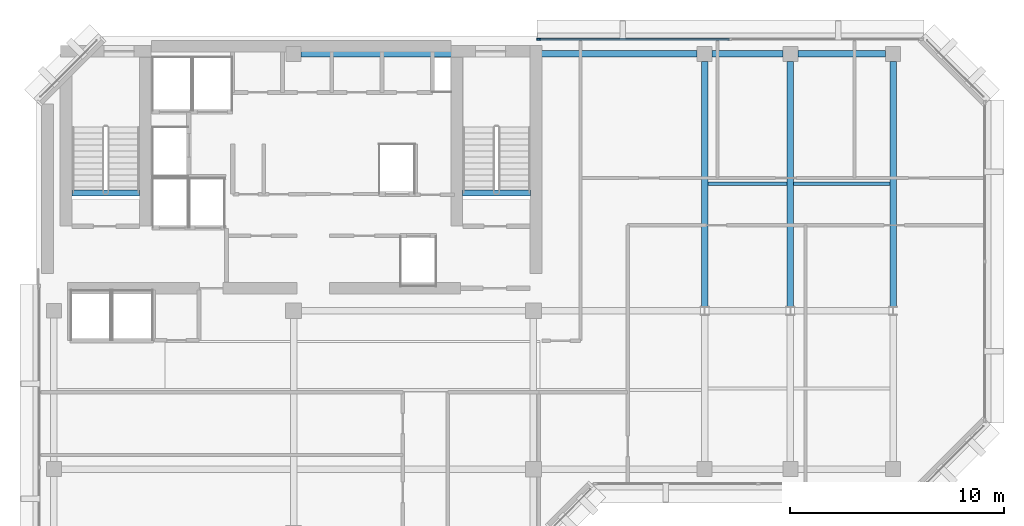
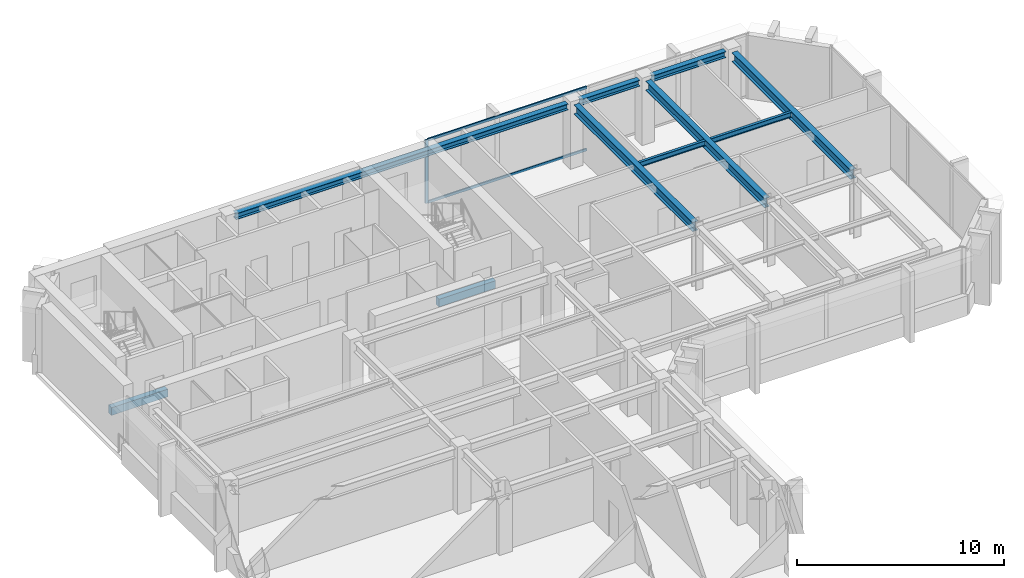
# One storey, part 4 of 13: 10 beams, 3 members, 1 element without a shape of its own.
"""IFC4 building model written with IfcOpenShell, lengths in metres."""

from ifc_helpers import new_model, si_unit, direction, frame, origin, origin_2d, place, context, subcontext, project, spatial, rectangle, i_section, extrude, material, layer, layer_set, material_profile, profile_set, type_object, element, aggregate, save


model = new_model("IFC4")

# Units and contexts
model_context = context("Model", 3, precision=1e-05, world=origin(), true_north=direction((0.0, 1.0)))
body_context = subcontext(model_context, "Body", "Model", "MODEL_VIEW")
ifc_project = project(units=[si_unit("LENGTHUNIT", "METRE"), si_unit("AREAUNIT", "SQUARE_METRE"), si_unit("VOLUMEUNIT", "CUBIC_METRE"), si_unit("PLANEANGLEUNIT", "RADIAN"), si_unit("MASSUNIT", "GRAM", prefix="KILO")], contexts=[model_context])

# Site, building, storey
site_placement = place(None, origin())
site = spatial("IfcSite", under=ifc_project, at=site_placement, CompositionType="ELEMENT")
building_placement = place(site_placement, origin())
building = spatial("IfcBuilding", under=site, at=building_placement, Name="Kefirva Bronze Tower", CompositionType="ELEMENT")
storey_placement = place(building_placement, frame((0.0, 0.0, 311.85009765625)))
storey = spatial("IfcBuildingStorey", under=building, at=storey_placement, Name="L76", CompositionType="ELEMENT", Elevation=311.85009765625)

# Curtain wall, members
ifc_material_1 = material(Name="Bronze anodised aluminium", Category="aluminium")
ifc_layer = layer(ifc_material_1, 0.179931640625, Name="Bronze anodised aluminium")
ifc_layer_set = layer_set([ifc_layer], Name="Bronze anodised aluminium")
curtain_wall_type = type_object("IfcCurtainWallType", Name="Unitised Bronze Ribbon Curtain Wall Zone 4", PredefinedType="USERDEFINED", material=ifc_layer_set)
curtain_wall_placement = place(storey_placement, origin())
curtain_wall = element("IfcCurtainWall", 1, at=curtain_wall_placement, inside=storey, type_object=curtain_wall_type, Name="L76 Curtain Wall 3", ObjectType="UNITISED CURTAIN WALL", PredefinedType="USERDEFINED")
ifc_material_profile_1 = material_profile(ifc_material_1, rectangle(XDim=0.074951171875, YDim=0.179931640625, at=origin_2d()), Name="ALU 75x180")
ifc_profile_set_1 = profile_set([ifc_material_profile_1], Name="Bronze anodised aluminium")
member_type_1 = type_object("IfcMemberType", Name="Bronze Mullion 75x180", PredefinedType="MULLION", material=ifc_profile_set_1)
member_1_placement = place(storey_placement, frame((23.4423828125, 45.8798828125, 0.0), z_axis=(0.0, 0.0, 1.0), x_axis=(0.0, -1.0, 0.0)))
member_1 = element("IfcMember", 2, at=member_1_placement, type_object=member_type_1, Name="CW-04 mullion 3", PredefinedType="MULLION", context=body_context, shape_type="SweptSolid", body=[
    extrude(rectangle(XDim=0.074951171875, YDim=0.179931640625, at=origin_2d()), origin(), (0.0, 0.0, 1.0), 3.739990234375),
])
ifc_material_profile_2 = material_profile(ifc_material_1, rectangle(XDim=0.074951171875, YDim=0.14990234375, at=origin_2d()), Name="ALU 75x150")
ifc_profile_set_2 = profile_set([ifc_material_profile_2], Name="Bronze anodised aluminium")
member_type_2 = type_object("IfcMemberType", Name="Bronze Transom 75x150", PredefinedType="USERDEFINED", material=ifc_profile_set_2)
member_2_placement = place(storey_placement, frame((32.33740234375, 45.8798828125, 0.037353515625), z_axis=(-1.0, 0.0, 0.0), x_axis=(0.0, -1.0, 0.0)))
member_2 = element("IfcMember", 3, at=member_2_placement, type_object=member_type_2, Name="CW-04 transom 2.1", ObjectType="TRANSOM", PredefinedType="USERDEFINED", context=body_context, shape_type="SweptSolid", body=[
    extrude(rectangle(XDim=0.074951171875, YDim=0.14990234375, at=origin_2d()), origin(), (0.0, 0.0, 1.0), 8.857421875),
])
member_3_placement = place(storey_placement, frame((32.33740234375, 45.8798828125, 3.702392578125), z_axis=(-1.0, 0.0, 0.0), x_axis=(0.0, -1.0, 0.0)))
member_3 = element("IfcMember", 4, at=member_3_placement, type_object=member_type_2, Name="CW-04 transom 2.2", ObjectType="TRANSOM", PredefinedType="USERDEFINED", context=body_context, shape_type="SweptSolid", body=[
    extrude(rectangle(XDim=0.074951171875, YDim=0.14990234375, at=origin_2d()), origin(), (0.0, 0.0, 1.0), 8.857421875),
])
aggregate(curtain_wall, [member_1, member_2, member_3])

# Beams
ifc_material_2 = material(Name="Concrete C50/60", Category="concrete")
ifc_material_profile_3 = material_profile(ifc_material_2, rectangle(XDim=0.300048828125, YDim=0.449951171875, at=origin_2d()), Name="RC 300x450")
ifc_profile_set_3 = profile_set([ifc_material_profile_3], Name="Concrete C50/60")
beam_type_1 = type_object("IfcBeamType", Name="RC Stair Trimmer Beam 300x450", PredefinedType="BEAM", material=ifc_profile_set_3)
beam_1_placement = place(storey_placement, frame((1.64501953125, 38.699951171875, -0.22509765625), z_axis=(1.0, 0.0, 0.0), x_axis=(0.0, 1.0, 0.0)))
element("IfcBeam", 5, at=beam_1_placement, inside=storey, type_object=beam_type_1, Name="L76 Stair 1 Landing Trimmer Beam", PredefinedType="BEAM", context=body_context, shape_type="SweptSolid", body=[
    extrude(rectangle(XDim=0.300048828125, YDim=0.449951171875, at=origin_2d()), origin(), (0.0, 0.0, 1.0), 3.14990234375),
])
beam_2_placement = place(storey_placement, frame((19.89501953125, 38.699951171875, -0.22509765625), z_axis=(1.0, 0.0, 0.0), x_axis=(0.0, 1.0, 0.0)))
element("IfcBeam", 6, at=beam_2_placement, inside=storey, type_object=beam_type_1, Name="L76 Stair 2 Landing Trimmer Beam", PredefinedType="BEAM", context=body_context, shape_type="SweptSolid", body=[
    extrude(rectangle(XDim=0.300048828125, YDim=0.449951171875, at=origin_2d()), origin(), (0.0, 0.0, 1.0), 3.159912109375),
])
ifc_material_3 = material(Name="Steel S355", Category="steel")
ifc_material_profile_4 = material_profile(ifc_material_3, i_section(OverallWidth=0.14990234375, OverallDepth=0.300048828125, WebThickness=0.007080078125, FlangeThickness=0.0107421875, at=origin_2d()), Name="IPE 300")
ifc_profile_set_4 = profile_set([ifc_material_profile_4], Name="Steel S355")
beam_type_2 = type_object("IfcBeamType", Name="Steel Floor Joist IPE 300", PredefinedType="JOIST", material=ifc_profile_set_4)
beam_3_placement = place(storey_placement, frame((31.35009765625, 39.12890625, 3.58984375), z_axis=(1.0, 0.0, 0.0), x_axis=(0.0, 1.0, 0.0)))
element("IfcBeam", 7, at=beam_3_placement, inside=storey, type_object=beam_type_2, Name="L76 JST-L76-31-391", PredefinedType="JOIST", context=body_context, shape_type="SweptSolid", body=[
    extrude(i_section(OverallWidth=0.14990234375, OverallDepth=0.300048828125, WebThickness=0.007080078125, FlangeThickness=0.0107421875, at=origin_2d()), origin(), (0.0, 0.0, 1.0), 3.699951171875),
])
beam_4_placement = place(storey_placement, frame((35.35009765625, 39.12890625, 3.58984375), z_axis=(1.0, 0.0, 0.0), x_axis=(0.0, 1.0, 0.0)))
element("IfcBeam", 8, at=beam_4_placement, inside=storey, type_object=beam_type_2, Name="L76 JST-L76-35-391", PredefinedType="JOIST", context=body_context, shape_type="SweptSolid", body=[
    extrude(i_section(OverallWidth=0.14990234375, OverallDepth=0.300048828125, WebThickness=0.007080078125, FlangeThickness=0.0107421875, at=origin_2d()), origin(), (0.0, 0.0, 1.0), 4.5),
])
ifc_material_profile_5 = material_profile(ifc_material_3, i_section(OverallWidth=0.300048828125, OverallDepth=0.550048828125, WebThickness=0.014892578125, FlangeThickness=0.029052734375, at=origin_2d()), Name="HEB 550")
ifc_profile_set_5 = profile_set([ifc_material_profile_5], Name="Steel S355")
beam_type_3 = type_object("IfcBeamType", Name="Steel Girder HEB 550", PredefinedType="USERDEFINED", material=ifc_profile_set_5)
for number, where, z_axis, x_axis, name in (
    (9, (31.199951171875, 33.407958984375, 3.46484375), (0.0, 1.0, 0.0), (-1.0, 0.0, 0.0), "L76 BM-L76-NS-312-33"),
    (10, (35.199951171875, 33.407958984375, 3.46484375), (0.0, 1.0, 0.0), (-1.0, 0.0, 0.0), "L76 BM-L76-NS-352-33"),
    (11, (40.0, 33.407958984375, 3.46484375), (0.0, 1.0, 0.0), (-1.0, 0.0, 0.0), "L76 BM-L76-NS-400-33"),
):
    element("IfcBeam", number, at=place(storey_placement, frame(where, z_axis=z_axis, x_axis=x_axis)), inside=storey, type_object=beam_type_3, Name=name, ObjectType="GIRDER", PredefinedType="USERDEFINED", context=body_context, shape_type="SweptSolid", body=[
        extrude(i_section(OverallWidth=0.300048828125, OverallDepth=0.550048828125, WebThickness=0.014892578125, FlangeThickness=0.029052734375, at=origin_2d()), origin(), (0.0, 0.0, 1.0), 11.442138671875),
    ])
ifc_material_profile_6 = material_profile(ifc_material_3, i_section(OverallWidth=0.300048828125, OverallDepth=0.360107421875, WebThickness=0.012451171875, FlangeThickness=0.0224609375, at=origin_2d()), Name="HEB 360")
ifc_profile_set_6 = profile_set([ifc_material_profile_6], Name="Steel S355")
beam_type_4 = type_object("IfcBeamType", Name="Steel Spandrel HEB 360 Ext", PredefinedType="SPANDREL", material=ifc_profile_set_6)
beam_5_placement = place(storey_placement, frame((12.35009765625, 45.199951171875, 3.559814453125), z_axis=(1.0, 0.0, 0.0), x_axis=(0.0, 1.0, 0.0)))
element("IfcBeam", 12, at=beam_5_placement, inside=storey, type_object=beam_type_4, Name="L76 BM-L76-EW-12-452", PredefinedType="SPANDREL", context=body_context, shape_type="SweptSolid", body=[
    extrude(i_section(OverallWidth=0.300048828125, OverallDepth=0.360107421875, WebThickness=0.012451171875, FlangeThickness=0.0224609375, at=origin_2d()), origin(), (0.0, 0.0, 1.0), 18.5),
])
beam_6_placement = place(storey_placement, frame((31.550048828125, 45.199951171875, 3.559814453125), z_axis=(1.0, 0.0, 0.0), x_axis=(0.0, 1.0, 0.0)))
element("IfcBeam", 13, at=beam_6_placement, inside=storey, type_object=beam_type_4, Name="L76 BM-L76-EW-31-452", PredefinedType="SPANDREL", context=body_context, shape_type="SweptSolid", body=[
    extrude(i_section(OverallWidth=0.300048828125, OverallDepth=0.360107421875, WebThickness=0.012451171875, FlangeThickness=0.0224609375, at=origin_2d()), origin(), (0.0, 0.0, 1.0), 3.300048828125),
])
beam_7_placement = place(storey_placement, frame((35.550048828125, 45.199951171875, 3.559814453125), z_axis=(1.0, 0.0, 0.0), x_axis=(0.0, 1.0, 0.0)))
element("IfcBeam", 14, at=beam_7_placement, inside=storey, type_object=beam_type_4, Name="L76 BM-L76-EW-35-452", PredefinedType="SPANDREL", context=body_context, shape_type="SweptSolid", body=[
    extrude(i_section(OverallWidth=0.300048828125, OverallDepth=0.360107421875, WebThickness=0.012451171875, FlangeThickness=0.0224609375, at=origin_2d()), origin(), (0.0, 0.0, 1.0), 4.099853515625),
])

save(model, "model.ifc")
